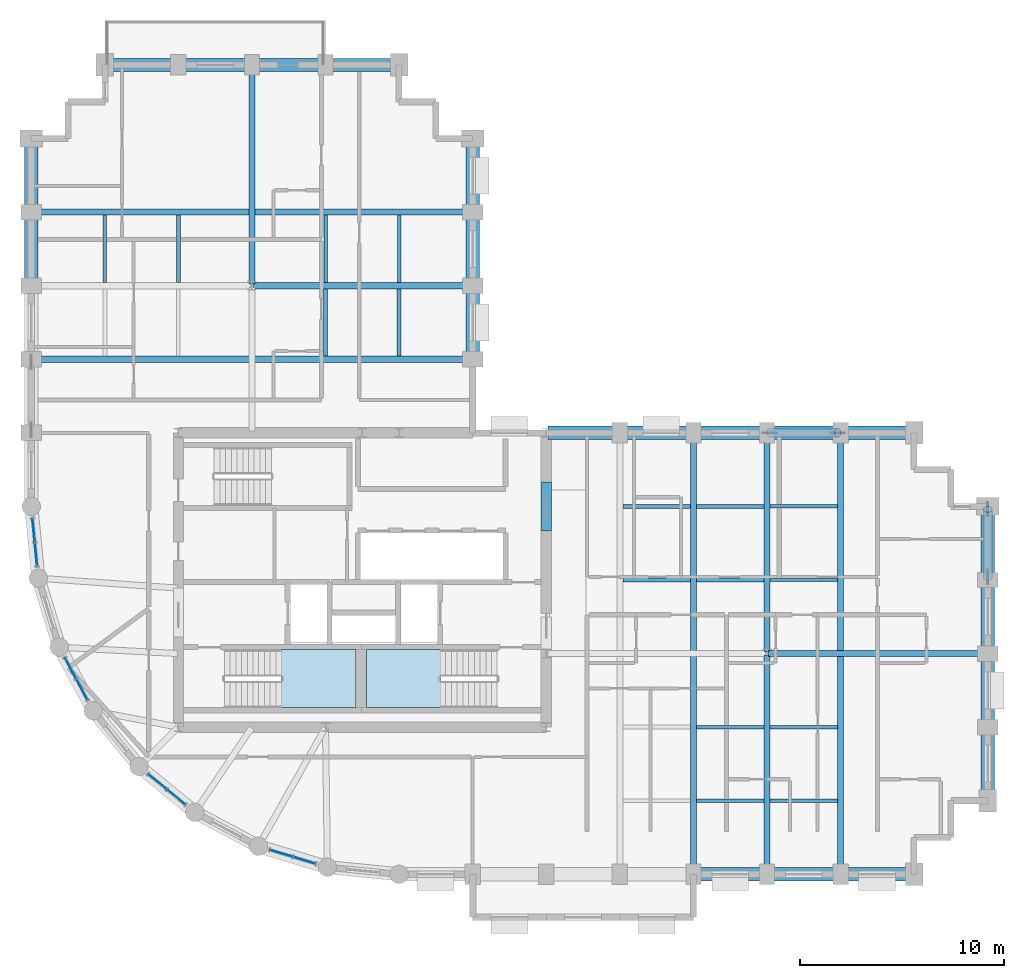
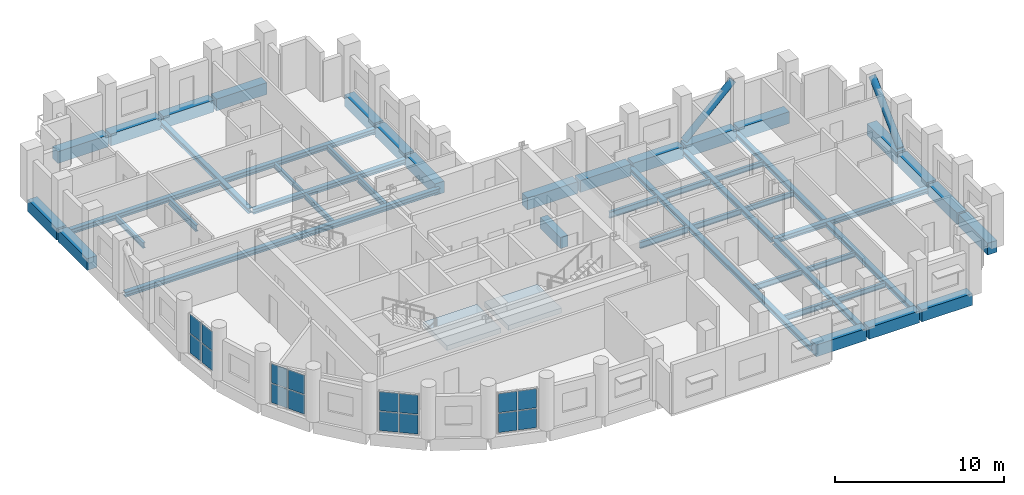
# One storey, part 5 of 14: 47 beams, 16 plates, 2 members, 2 slabs, 6 elements without a shape of their own.
"""IFC4 building model written with IfcOpenShell, lengths in metres."""

import ifcopenshell
import ifcopenshell.guid

model = None  # the IFC model being written
_history = None  # IfcOwnerHistory: only IFC2X3 demands one
_inside = {}  # id of a spatial element -> (the spatial element, [elements in it])
_under = {}  # id of a project, library or spatial element -> (it, [spatial elements below it])
_declared = {}  # id of a project -> (the project, [libraries it declares])
_typed = {}  # id of a type object -> (the type object, [elements of that type])
_made_of = {}  # id of a material, layer set ... -> (it, [elements and type objects made of it])


def new_model(schema):
    """Start an empty IFC model of exactly this schema.

    Asked for "IFC4X3", IfcOpenShell would pick the latest addendum, in which some entities
    have other attributes; the version numbers below select the first issue.
    IFC2X3 requires an IfcOwnerHistory on every rooted entity: one is made here for all.
    """
    global model, _history
    if schema == "IFC4X3":
        model = ifcopenshell.file(schema_version=(4, 3, 0, 0))
    else:
        model = ifcopenshell.file(schema=schema)
    _inside.clear()
    _under.clear()
    _declared.clear()
    _typed.clear()
    _made_of.clear()
    _history = None
    if model.schema == "IFC2X3":
        org = make("IfcOrganization", Name="unknown")
        user = make(
            "IfcPersonAndOrganization",
            ThePerson=make("IfcPerson", FamilyName="unknown"),
            TheOrganization=org,
        )
        app = make(
            "IfcApplication",
            ApplicationDeveloper=org,
            Version="unknown",
            ApplicationFullName="unknown",
            ApplicationIdentifier="unknown",
        )
        _history = make(
            "IfcOwnerHistory",
            OwningUser=user,
            OwningApplication=app,
            ChangeAction="ADDED",
            CreationDate=0,
        )
    return model


def make(cls, **values):
    """One entity of the class cls with the attributes given. An attribute that is None is left unset."""
    return model.create_entity(
        cls, **{name: value for name, value in values.items() if value is not None}
    )


def rooted(cls, **values):
    """An entity with a GlobalId (a new one), such as an element, a storey or a relation."""
    return make(cls, GlobalId=ifcopenshell.guid.new(), OwnerHistory=_history, **values)


def si_unit(unit_type, name, prefix=None):
    """IfcSIUnit, for example si_unit("LENGTHUNIT", "METRE", prefix="MILLI")."""
    return make("IfcSIUnit", UnitType=unit_type, Prefix=prefix, Name=name)


def assignment(units):
    """IfcUnitAssignment: the units of a project."""
    return None if units is None else make("IfcUnitAssignment", Units=units)


def point(xyz):
    """IfcCartesianPoint."""
    return None if xyz is None else make("IfcCartesianPoint", Coordinates=xyz)


def direction(xyz):
    """IfcDirection."""
    return None if xyz is None else make("IfcDirection", DirectionRatios=xyz)


def frame(location, z_axis=None, x_axis=None):
    """IfcAxis2Placement3D, a coordinate frame: its origin and axes. An axis left out is left unset."""
    return make(
        "IfcAxis2Placement3D",
        Location=point(location),
        Axis=direction(z_axis),
        RefDirection=direction(x_axis),
    )


def frame_2d(location, x_axis=None):
    """IfcAxis2Placement2D, a coordinate frame in the plane: its origin and x axis."""
    return make(
        "IfcAxis2Placement2D", Location=point(location), RefDirection=direction(x_axis)
    )


def origin():
    """The frame at (0, 0, 0) with its axes left unset."""
    return frame((0.0, 0.0, 0.0))


def origin_2d():
    """The frame at (0, 0) in the plane with its x axis left unset."""
    return frame_2d((0.0, 0.0))


def place(relative_to, where):
    """IfcLocalPlacement: puts the frame where relative to a parent placement (None: the world)."""
    return make(
        "IfcLocalPlacement", PlacementRelTo=relative_to, RelativePlacement=where
    )


def context(
    kind, dimensions, precision=None, world=None, true_north=None, identifier=None
):
    """IfcGeometricRepresentationContext, for example the 3D "Model" context."""
    return make(
        "IfcGeometricRepresentationContext",
        ContextIdentifier=identifier,
        ContextType=kind,
        CoordinateSpaceDimension=dimensions,
        Precision=precision,
        WorldCoordinateSystem=world,
        TrueNorth=true_north,
    )


def subcontext(parent, identifier, kind, view, scale=None):
    """IfcGeometricRepresentationSubContext, for example "Body" below "Model"."""
    return make(
        "IfcGeometricRepresentationSubContext",
        ContextIdentifier=identifier,
        ContextType=kind,
        ParentContext=parent,
        TargetScale=scale,
        TargetView=view,
    )


def project(units=None, contexts=None):
    """IfcProject with its units and contexts."""
    return rooted(
        "IfcProject",
        Name="project",
        RepresentationContexts=contexts,
        UnitsInContext=assignment(units),
    )


def spatial(cls, under=None, at=None, **own):
    """A site, building, storey or space (cls), placed at a placement, below another one or the project."""
    s = rooted(cls, ObjectPlacement=at, **own)
    if under is not None:
        _under.setdefault(under.id(), (under, []))[1].append(s)
    return s


def polyline(points):
    """IfcPolyline through the points."""
    return make("IfcPolyline", Points=[point(p) for p in points])


def profile(cls, at=None, kind="AREA", **sizes):
    """A parametric profile (cls). Its sizes go by their IFC names, for example OverallWidth=200.0."""
    return make(cls, ProfileType=kind, Position=at, **sizes)


def rectangle(**sizes):
    """IfcRectangleProfileDef."""
    return profile("IfcRectangleProfileDef", **sizes)


def hollow_circle(**sizes):
    """IfcCircleHollowProfileDef."""
    return profile("IfcCircleHollowProfileDef", **sizes)


def i_section(**sizes):
    """IfcIShapeProfileDef."""
    return profile("IfcIShapeProfileDef", **sizes)


def outline(outer, holes=None, kind="AREA"):
    """IfcArbitraryClosedProfileDef: a profile drawn as a closed curve; with holes, ...WithVoids."""
    if holes is None:
        return make("IfcArbitraryClosedProfileDef", ProfileType=kind, OuterCurve=outer)
    return make(
        "IfcArbitraryProfileDefWithVoids",
        ProfileType=kind,
        OuterCurve=outer,
        InnerCurves=holes,
    )


def extrude(swept, where, along, depth):
    """IfcExtrudedAreaSolid: the profile swept, set in the frame where, extruded along a direction by depth."""
    return make(
        "IfcExtrudedAreaSolid",
        SweptArea=swept,
        Position=where,
        ExtrudedDirection=direction(along),
        Depth=depth,
    )


def shape(context_of_items, identifier, shape_type, items):
    """IfcShapeRepresentation: the items that make up one representation, for example the "Body"."""
    return make(
        "IfcShapeRepresentation",
        ContextOfItems=context_of_items,
        RepresentationIdentifier=identifier,
        RepresentationType=shape_type,
        Items=items,
    )


def material(Name=None, Category=None):
    """IfcMaterial."""
    return make("IfcMaterial", Name=Name, Category=Category)


def layer(
    of_material, thickness, ventilated=None, Name=None, Category=None, Priority=None
):
    """IfcMaterialLayer: one layer of a wall or slab, of a material (None: an air gap)."""
    return make(
        "IfcMaterialLayer",
        Material=of_material,
        LayerThickness=thickness,
        IsVentilated=ventilated,
        Name=Name,
        Category=Category,
        Priority=Priority,
    )


def layer_set(layers, Name=None):
    """IfcMaterialLayerSet."""
    return make("IfcMaterialLayerSet", MaterialLayers=layers, LayerSetName=Name)


def material_profile(
    of_material, cross_section, Name=None, Category=None, Priority=None
):
    """IfcMaterialProfile: a cross section and its material."""
    return make(
        "IfcMaterialProfile",
        Name=Name,
        Material=of_material,
        Profile=cross_section,
        Priority=Priority,
        Category=Category,
    )


def profile_set(profiles, Name=None, composite=None):
    """IfcMaterialProfileSet."""
    return make(
        "IfcMaterialProfileSet",
        Name=Name,
        MaterialProfiles=profiles,
        CompositeProfile=composite,
    )


def made_of(thing, what):
    """Note that an element or type object is made of a material, layer set ...; save() writes the relation."""
    if what is not None:
        _made_of.setdefault(what.id(), (what, []))[1].append(thing)
    return thing


def type_object(cls, material=None, **own):
    """A type object (cls), such as IfcWallType, which elements share."""
    return made_of(rooted(cls, **own), material)


def element(
    cls,
    number,
    at=None,
    inside=None,
    cuts=None,
    type_object=None,
    material=None,
    context=None,
    identifier="Body",
    shape_type=None,
    held_by="IfcProductDefinitionShape",
    body=None,
    shapes=None,
    **own,
):
    """One element of the class cls, such as IfcWall. Its Tag is "e" and its number.

    at: its placement. inside: the storey or other place that contains it. cuts: it is an
    opening in that element (IfcRelVoidsElement). A single representation is given by context,
    identifier, shape_type and body (its items); several are given by shapes. held_by: the class
    of the entity that holds the representations. save() writes the other relations.
    """
    e = rooted(cls, Tag="e%d" % number, ObjectPlacement=at, **own)
    if body is not None:
        shapes = [shape(context, identifier, shape_type, body)]
    if shapes is not None:
        e.Representation = make(held_by, Representations=shapes)
    if inside is not None:
        _inside.setdefault(inside.id(), (inside, []))[1].append(e)
    if cuts is not None:
        rooted(
            "IfcRelVoidsElement", RelatingBuildingElement=cuts, RelatedOpeningElement=e
        )
    if type_object is not None:
        _typed.setdefault(type_object.id(), (type_object, []))[1].append(e)
    return made_of(e, material)


def aggregate(whole, parts):
    """IfcRelAggregates: a whole, such as a stair, and the parts it consists of."""
    return rooted("IfcRelAggregates", RelatingObject=whole, RelatedObjects=parts)


def save(model, path):
    """Write the relations noted so far, then the file.

    IfcRelAggregates (storeys below a building ...), IfcRelContainedInSpatialStructure (elements
    in a storey), IfcRelDefinesByType, IfcRelAssociatesMaterial and IfcRelDeclares: one each for
    every whole, place, type object, material and project.
    """
    for whole, parts in _under.values():
        aggregate(whole, parts)
    for where, things in _inside.values():
        rooted(
            "IfcRelContainedInSpatialStructure",
            RelatedElements=things,
            RelatingStructure=where,
        )
    for kind, things in _typed.values():
        rooted("IfcRelDefinesByType", RelatedObjects=things, RelatingType=kind)
    for what, things in _made_of.values():
        rooted("IfcRelAssociatesMaterial", RelatedObjects=things, RelatingMaterial=what)
    for by, libraries in _declared.values():
        rooted("IfcRelDeclares", RelatingContext=by, RelatedDefinitions=libraries)
    model.write(path)


model = new_model("IFC4")

# Units and contexts
model_context = context("Model", 3, precision=1e-05, world=origin(), true_north=direction((0.0, 1.0)))
body_context = subcontext(model_context, "Body", "Model", "MODEL_VIEW")
ifc_project = project(units=[si_unit("LENGTHUNIT", "METRE"), si_unit("AREAUNIT", "SQUARE_METRE"), si_unit("VOLUMEUNIT", "CUBIC_METRE"), si_unit("PLANEANGLEUNIT", "RADIAN"), si_unit("MASSUNIT", "GRAM", prefix="KILO")], contexts=[model_context])

# Site, building, storey
site_placement = place(None, origin())
site = spatial("IfcSite", under=ifc_project, at=site_placement, CompositionType="ELEMENT")
building_placement = place(site_placement, origin())
building = spatial("IfcBuilding", under=site, at=building_placement, Name="Solnavia Interchange Tower", CompositionType="ELEMENT")
storey_placement = place(building_placement, frame((0.0, 0.0, 135.199951171875)))
storey = spatial("IfcBuildingStorey", under=building, at=storey_placement, Name="L33", CompositionType="ELEMENT", Elevation=135.199951171875)

# Beams
ifc_material_1 = material(Name="Concrete C50/60", Category="concrete")
ifc_material_profile_1 = material_profile(ifc_material_1, rectangle(XDim=0.5, YDim=0.800048828125, at=origin_2d()), Name="RC 500x800")
ifc_profile_set_1 = profile_set([ifc_material_profile_1], Name="Concrete C50/60")
beam_type_1 = type_object("IfcBeamType", Name="Beam-Coupling-RC500x800", PredefinedType="LINTEL", material=ifc_profile_set_1)
beam_1_placement = place(storey_placement, frame((32.39990234375, 20.39990234375, -0.39990234375), z_axis=(0.0, 1.0, 0.0), x_axis=(-1.0, 0.0, 0.0)))
element("IfcBeam", 1, at=beam_1_placement, inside=storey, type_object=beam_type_1, Name="CPB-L33-E2 Core coupling lintel beam", PredefinedType="LINTEL", context=body_context, shape_type="SweptSolid", body=[
    extrude(rectangle(XDim=0.5, YDim=0.800048828125, at=origin_2d()), origin(), (0.0, 0.0, 1.0), 2.400146484375),
])
ifc_material_2 = material(Name="Steel S460", Category="steel")
ifc_material_profile_2 = material_profile(ifc_material_2, i_section(OverallWidth=0.300048828125, OverallDepth=0.360107421875, WebThickness=0.012451171875, FlangeThickness=0.0224609375, FilletRadius=0.027099609375, at=origin_2d()), Name="HEB 360")
ifc_profile_set_2 = profile_set([ifc_material_profile_2], Name="Steel S460")
beam_type_2 = type_object("IfcBeamType", Name="Beam-Girder-HEB360", PredefinedType="BEAM", material=ifc_profile_set_2)
beam_2_placement = place(storey_placement, frame((43.280029296875, 14.39990234375, -0.429931640625), z_axis=(1.0, 0.0, 0.0), x_axis=(0.0, 1.0, 0.0)))
element("IfcBeam", 2, at=beam_2_placement, inside=storey, type_object=beam_type_2, Name="GRD-L33-ES02 East wing spine girder", PredefinedType="BEAM", context=body_context, shape_type="SweptSolid", body=[
    extrude(i_section(OverallWidth=0.300048828125, OverallDepth=0.360107421875, WebThickness=0.012451171875, FlangeThickness=0.0224609375, FilletRadius=0.027099609375, at=origin_2d()), origin(), (0.0, 0.0, 1.0), 10.639892578125),
])
for number, where, z_axis, x_axis, name in (
    (3, (39.60009765625, 3.679931640625, -0.429931640625), (0.0, 1.0, 0.0), (-1.0, 0.0, 0.0), "GRD-L33-EW04 East wing primary floor girder"),
    (4, (46.800048828125, 3.679931640625, -0.429931640625), (0.0, 1.0, 0.0), (-1.0, 0.0, 0.0), "GRD-L33-EW07 East wing primary floor girder"),
):
    element("IfcBeam", number, at=place(storey_placement, frame(where, z_axis=z_axis, x_axis=x_axis)), inside=storey, type_object=beam_type_2, Name=name, PredefinedType="BEAM", context=body_context, shape_type="SweptSolid", body=[
        extrude(i_section(OverallWidth=0.300048828125, OverallDepth=0.360107421875, WebThickness=0.012451171875, FlangeThickness=0.0224609375, FilletRadius=0.027099609375, at=origin_2d()), origin(), (0.0, 0.0, 1.0), 21.440185546875),
    ])
beam_3_placement = place(storey_placement, frame((18.0, 32.47998046875, -0.429931640625), z_axis=(0.0, 1.0, 0.0), x_axis=(-1.0, 0.0, 0.0)))
element("IfcBeam", 5, at=beam_3_placement, inside=storey, type_object=beam_type_2, Name="GRD-L33-NS09 North wing spine girder", PredefinedType="BEAM", context=body_context, shape_type="SweptSolid", body=[
    extrude(i_section(OverallWidth=0.300048828125, OverallDepth=0.360107421875, WebThickness=0.012451171875, FlangeThickness=0.0224609375, FilletRadius=0.027099609375, at=origin_2d()), origin(), (0.0, 0.0, 1.0), 10.64013671875),
])
for number, where, z_axis, x_axis, name in (
    (6, (7.280029296875, 28.800048828125, -0.429931640625), (1.0, 0.0, 0.0), (0.0, 1.0, 0.0), "GRD-L33-NW10 North wing primary floor girder"),
    (7, (7.280029296875, 36.0, -0.429931640625), (1.0, 0.0, 0.0), (0.0, 1.0, 0.0), "GRD-L33-NW13 North wing primary floor girder"),
):
    element("IfcBeam", number, at=place(storey_placement, frame(where, z_axis=z_axis, x_axis=x_axis)), inside=storey, type_object=beam_type_2, Name=name, PredefinedType="BEAM", context=body_context, shape_type="SweptSolid", body=[
        extrude(i_section(OverallWidth=0.300048828125, OverallDepth=0.360107421875, WebThickness=0.012451171875, FlangeThickness=0.0224609375, FilletRadius=0.027099609375, at=origin_2d()), origin(), (0.0, 0.0, 1.0), 21.43994140625),
    ])
ifc_material_3 = material(Name="Steel S355", Category="steel")
ifc_material_profile_3 = material_profile(ifc_material_3, i_section(OverallWidth=0.169921875, OverallDepth=0.360107421875, WebThickness=0.008056640625, FlangeThickness=0.0126953125, FilletRadius=0.01806640625, at=origin_2d()), Name="IPE 360")
ifc_profile_set_3 = profile_set([ifc_material_profile_3], Name="Steel S355")
beam_type_3 = type_object("IfcBeamType", Name="Beam-Joist-IPE360", PredefinedType="JOIST", material=ifc_profile_set_3)
for number, where, z_axis, x_axis, name in (
    (8, (43.35009765625, 7.199951171875, -0.429931640625), (1.0, 0.0, 0.0), (0.0, 1.0, 0.0), "JST-L33-E03 East wing secondary joist"),
    (9, (43.35009765625, 10.800048828125, -0.429931640625), (1.0, 0.0, 0.0), (0.0, 1.0, 0.0), "JST-L33-E06 East wing secondary joist"),
    (10, (43.35009765625, 18.0, -0.429931640625), (1.0, 0.0, 0.0), (0.0, 1.0, 0.0), "JST-L33-E09 East wing secondary joist"),
    (11, (43.35009765625, 21.60009765625, -0.429931640625), (1.0, 0.0, 0.0), (0.0, 1.0, 0.0), "JST-L33-E12 East wing secondary joist"),
):
    element("IfcBeam", number, at=place(storey_placement, frame(where, z_axis=z_axis, x_axis=x_axis)), inside=storey, type_object=beam_type_3, Name=name, PredefinedType="JOIST", context=body_context, shape_type="SweptSolid", body=[
        extrude(i_section(OverallWidth=0.169921875, OverallDepth=0.360107421875, WebThickness=0.008056640625, FlangeThickness=0.0126953125, FilletRadius=0.01806640625, at=origin_2d()), origin(), (0.0, 0.0, 1.0), 3.2998046875),
    ])
beam_4_placement = place(storey_placement, frame((21.60009765625, 32.550048828125, -0.429931640625), z_axis=(0.0, 1.0, 0.0), x_axis=(-1.0, 0.0, 0.0)))
element("IfcBeam", 12, at=beam_4_placement, inside=storey, type_object=beam_type_3, Name="JST-L33-N18 North wing secondary joist", PredefinedType="JOIST", context=body_context, shape_type="SweptSolid", body=[
    extrude(i_section(OverallWidth=0.169921875, OverallDepth=0.360107421875, WebThickness=0.008056640625, FlangeThickness=0.0126953125, FilletRadius=0.01806640625, at=origin_2d()), origin(), (0.0, 0.0, 1.0), 3.300048828125),
])
ifc_material_profile_4 = material_profile(ifc_material_3, i_section(OverallWidth=0.179931640625, OverallDepth=0.39990234375, WebThickness=0.008544921875, FlangeThickness=0.013427734375, FilletRadius=0.02099609375, at=origin_2d()), Name="IPE 400")
ifc_profile_set_4 = profile_set([ifc_material_profile_4], Name="Steel S355")
beam_type_4 = type_object("IfcBeamType", Name="Beam-Joist-IPE400", PredefinedType="JOIST", material=ifc_profile_set_4)
for number, where, z_axis, x_axis, name in (
    (13, (39.75, 7.199951171875, -0.449951171875), (1.0, 0.0, 0.0), (0.0, 1.0, 0.0), "JST-L33-E02 East wing secondary joist"),
    (14, (39.75, 10.800048828125, -0.449951171875), (1.0, 0.0, 0.0), (0.0, 1.0, 0.0), "JST-L33-E05 East wing secondary joist"),
    (15, (39.75, 18.0, -0.449951171875), (1.0, 0.0, 0.0), (0.0, 1.0, 0.0), "JST-L33-E08 East wing secondary joist"),
    (16, (39.75, 21.60009765625, -0.449951171875), (1.0, 0.0, 0.0), (0.0, 1.0, 0.0), "JST-L33-E11 East wing secondary joist"),
    (17, (10.800048828125, 32.550048828125, -0.449951171875), (0.0, 1.0, 0.0), (-1.0, 0.0, 0.0), "JST-L33-N14 North wing secondary joist"),
    (18, (21.60009765625, 28.949951171875, -0.449951171875), (0.0, 1.0, 0.0), (-1.0, 0.0, 0.0), "JST-L33-N17 North wing secondary joist"),
    (19, (25.199951171875, 32.550048828125, -0.449951171875), (0.0, 1.0, 0.0), (-1.0, 0.0, 0.0), "JST-L33-N20 North wing secondary joist"),
):
    element("IfcBeam", number, at=place(storey_placement, frame(where, z_axis=z_axis, x_axis=x_axis)), inside=storey, type_object=beam_type_4, Name=name, PredefinedType="JOIST", context=body_context, shape_type="SweptSolid", body=[
        extrude(i_section(OverallWidth=0.179931640625, OverallDepth=0.39990234375, WebThickness=0.008544921875, FlangeThickness=0.013427734375, FilletRadius=0.02099609375, at=origin_2d()), origin(), (0.0, 0.0, 1.0), 3.300048828125),
    ])
ifc_material_profile_5 = material_profile(ifc_material_3, i_section(OverallWidth=0.18994140625, OverallDepth=0.449951171875, WebThickness=0.009521484375, FlangeThickness=0.0146484375, FilletRadius=0.02099609375, at=origin_2d()), Name="IPE 450")
ifc_profile_set_5 = profile_set([ifc_material_profile_5], Name="Steel S355")
beam_type_5 = type_object("IfcBeamType", Name="Beam-Joist-IPE450", PredefinedType="JOIST", material=ifc_profile_set_5)
for number, where, z_axis, x_axis, name in (
    (20, (36.14990234375, 18.0, -0.474853515625), (1.0, 0.0, 0.0), (0.0, 1.0, 0.0), "JST-L33-E07 East wing secondary joist"),
    (21, (36.14990234375, 21.60009765625, -0.474853515625), (1.0, 0.0, 0.0), (0.0, 1.0, 0.0), "JST-L33-E10 East wing secondary joist"),
    (22, (14.39990234375, 32.550048828125, -0.474853515625), (0.0, 1.0, 0.0), (-1.0, 0.0, 0.0), "JST-L33-N16 North wing secondary joist"),
    (23, (25.199951171875, 28.949951171875, -0.474853515625), (0.0, 1.0, 0.0), (-1.0, 0.0, 0.0), "JST-L33-N19 North wing secondary joist"),
):
    element("IfcBeam", number, at=place(storey_placement, frame(where, z_axis=z_axis, x_axis=x_axis)), inside=storey, type_object=beam_type_5, Name=name, PredefinedType="JOIST", context=body_context, shape_type="SweptSolid", body=[
        extrude(i_section(OverallWidth=0.18994140625, OverallDepth=0.449951171875, WebThickness=0.009521484375, FlangeThickness=0.0146484375, FilletRadius=0.02099609375, at=origin_2d()), origin(), (0.0, 0.0, 1.0), 3.300048828125),
    ])
ifc_material_profile_6 = material_profile(ifc_material_3, i_section(OverallWidth=0.300048828125, OverallDepth=0.35009765625, WebThickness=0.010009765625, FlangeThickness=0.017578125, FilletRadius=0.027099609375, at=origin_2d()), Name="HEA 360")
ifc_profile_set_6 = profile_set([ifc_material_profile_6], Name="Steel S355")
beam_type_6 = type_object("IfcBeamType", Name="Beam-Primary-HEA360", PredefinedType="BEAM", material=ifc_profile_set_6)
for number, where, z_axis, x_axis, name in (
    (24, (43.199951171875, 3.679931640625, -0.425048828125), (0.0, 1.0, 0.0), (-1.0, 0.0, 0.0), "GRD-L33-EW05 East wing primary floor girder"),
    (25, (43.199951171875, 14.47998046875, -0.425048828125), (0.0, 1.0, 0.0), (-1.0, 0.0, 0.0), "GRD-L33-EW06 East wing primary floor girder"),
):
    element("IfcBeam", number, at=place(storey_placement, frame(where, z_axis=z_axis, x_axis=x_axis)), inside=storey, type_object=beam_type_6, Name=name, PredefinedType="BEAM", context=body_context, shape_type="SweptSolid", body=[
        extrude(i_section(OverallWidth=0.300048828125, OverallDepth=0.35009765625, WebThickness=0.010009765625, FlangeThickness=0.017578125, FilletRadius=0.027099609375, at=origin_2d()), origin(), (0.0, 0.0, 1.0), 10.64013671875),
    ])
beam_5_placement = place(storey_placement, frame((18.080078125, 32.39990234375, -0.425048828125), z_axis=(1.0, 0.0, 0.0), x_axis=(0.0, 1.0, 0.0)))
element("IfcBeam", 26, at=beam_5_placement, inside=storey, type_object=beam_type_6, Name="GRD-L33-NW12 North wing primary floor girder", PredefinedType="BEAM", context=body_context, shape_type="SweptSolid", body=[
    extrude(i_section(OverallWidth=0.300048828125, OverallDepth=0.35009765625, WebThickness=0.010009765625, FlangeThickness=0.017578125, FilletRadius=0.027099609375, at=origin_2d()), origin(), (0.0, 0.0, 1.0), 10.639892578125),
])
ifc_material_profile_7 = material_profile(ifc_material_1, rectangle(XDim=0.64990234375, YDim=0.85009765625, at=origin_2d()), Name="RC 650x850")
ifc_profile_set_7 = profile_set([ifc_material_profile_7], Name="Concrete C50/60")
beam_type_7 = type_object("IfcBeamType", Name="Beam-Spandrel-RC650x850", PredefinedType="SPANDREL", material=ifc_profile_set_7)
beam_6_placement = place(storey_placement, frame((39.679931640625, 3.60009765625, -0.425048828125), z_axis=(1.0, 0.0, 0.0), x_axis=(0.0, 1.0, 0.0)))
element("IfcBeam", 27, at=beam_6_placement, inside=storey, type_object=beam_type_7, Name="SPB-L33-13 Framed-tube perimeter spandrel beam", PredefinedType="SPANDREL", context=body_context, shape_type="SweptSolid", body=[
    extrude(rectangle(XDim=0.64990234375, YDim=0.85009765625, at=origin_2d()), origin(), (0.0, 0.0, 1.0), 3.440185546875),
])
beam_7_placement = place(storey_placement, frame((43.280029296875, 3.60009765625, -0.425048828125), z_axis=(1.0, 0.0, 0.0), x_axis=(0.0, 1.0, 0.0)))
element("IfcBeam", 28, at=beam_7_placement, inside=storey, type_object=beam_type_7, Name="SPB-L33-14 Framed-tube perimeter spandrel beam", PredefinedType="SPANDREL", context=body_context, shape_type="SweptSolid", body=[
    extrude(rectangle(XDim=0.64990234375, YDim=0.85009765625, at=origin_2d()), origin(), (0.0, 0.0, 1.0), 3.43994140625),
])
beam_8_placement = place(storey_placement, frame((46.8798828125, 3.60009765625, -0.425048828125), z_axis=(1.0, 0.0, 0.0), x_axis=(0.0, 1.0, 0.0)))
element("IfcBeam", 29, at=beam_8_placement, inside=storey, type_object=beam_type_7, Name="SPB-L33-15 Framed-tube perimeter spandrel beam", PredefinedType="SPANDREL", context=body_context, shape_type="SweptSolid", body=[
    extrude(rectangle(XDim=0.64990234375, YDim=0.85009765625, at=origin_2d()), origin(), (0.0, 0.0, 1.0), 3.440185546875),
])
beam_9_placement = place(storey_placement, frame((54.0, 7.280029296875, -0.425048828125), z_axis=(0.0, 1.0, 0.0), x_axis=(-1.0, 0.0, 0.0)))
element("IfcBeam", 30, at=beam_9_placement, inside=storey, type_object=beam_type_7, Name="SPB-L33-16 Framed-tube perimeter spandrel beam", PredefinedType="SPANDREL", context=body_context, shape_type="SweptSolid", body=[
    extrude(rectangle(XDim=0.64990234375, YDim=0.85009765625, at=origin_2d()), origin(), (0.0, 0.0, 1.0), 3.43994140625),
])
beam_10_placement = place(storey_placement, frame((54.0, 10.8798828125, -0.425048828125), z_axis=(0.0, 1.0, 0.0), x_axis=(-1.0, 0.0, 0.0)))
element("IfcBeam", 31, at=beam_10_placement, inside=storey, type_object=beam_type_7, Name="SPB-L33-17 Framed-tube perimeter spandrel beam", PredefinedType="SPANDREL", context=body_context, shape_type="SweptSolid", body=[
    extrude(rectangle(XDim=0.64990234375, YDim=0.85009765625, at=origin_2d()), origin(), (0.0, 0.0, 1.0), 3.440185546875),
])
for number, where, z_axis, x_axis, name in (
    (32, (54.0, 14.47998046875, -0.425048828125), (0.0, 1.0, 0.0), (-1.0, 0.0, 0.0), "SPB-L33-18 Framed-tube perimeter spandrel beam"),
    (33, (54.0, 18.080078125, -0.425048828125), (0.0, 1.0, 0.0), (-1.0, 0.0, 0.0), "SPB-L33-19 Framed-tube perimeter spandrel beam"),
):
    element("IfcBeam", number, at=place(storey_placement, frame(where, z_axis=z_axis, x_axis=x_axis)), inside=storey, type_object=beam_type_7, Name=name, PredefinedType="SPANDREL", context=body_context, shape_type="SweptSolid", body=[
        extrude(rectangle(XDim=0.64990234375, YDim=0.85009765625, at=origin_2d()), origin(), (0.0, 0.0, 1.0), 3.43994140625),
    ])
beam_11_placement = place(storey_placement, frame((50.320068359375, 25.199951171875, -0.425048828125), z_axis=(-1.0, 0.0, 0.0), x_axis=(0.0, -1.0, 0.0)))
element("IfcBeam", 34, at=beam_11_placement, inside=storey, type_object=beam_type_7, Name="SPB-L33-20 Framed-tube perimeter spandrel beam", PredefinedType="SPANDREL", context=body_context, shape_type="SweptSolid", body=[
    extrude(rectangle(XDim=0.64990234375, YDim=0.85009765625, at=origin_2d()), origin(), (0.0, 0.0, 1.0), 3.440185546875),
])
beam_12_placement = place(storey_placement, frame((46.719970703125, 25.199951171875, -0.425048828125), z_axis=(-1.0, 0.0, 0.0), x_axis=(0.0, -1.0, 0.0)))
element("IfcBeam", 35, at=beam_12_placement, inside=storey, type_object=beam_type_7, Name="SPB-L33-21 Framed-tube perimeter spandrel beam", PredefinedType="SPANDREL", context=body_context, shape_type="SweptSolid", body=[
    extrude(rectangle(XDim=0.64990234375, YDim=0.85009765625, at=origin_2d()), origin(), (0.0, 0.0, 1.0), 3.43994140625),
])
beam_13_placement = place(storey_placement, frame((43.1201171875, 25.199951171875, -0.425048828125), z_axis=(-1.0, 0.0, 0.0), x_axis=(0.0, -1.0, 0.0)))
element("IfcBeam", 36, at=beam_13_placement, inside=storey, type_object=beam_type_7, Name="SPB-L33-22 Framed-tube perimeter spandrel beam", PredefinedType="SPANDREL", context=body_context, shape_type="SweptSolid", body=[
    extrude(rectangle(XDim=0.64990234375, YDim=0.85009765625, at=origin_2d()), origin(), (0.0, 0.0, 1.0), 3.440185546875),
])
for number, where, z_axis, x_axis, name in (
    (37, (39.52001953125, 25.199951171875, -0.425048828125), (-1.0, 0.0, 0.0), (0.0, -1.0, 0.0), "SPB-L33-23 Framed-tube perimeter spandrel beam"),
    (38, (35.919921875, 25.199951171875, -0.425048828125), (-1.0, 0.0, 0.0), (0.0, -1.0, 0.0), "SPB-L33-24 Framed-tube perimeter spandrel beam"),
):
    element("IfcBeam", number, at=place(storey_placement, frame(where, z_axis=z_axis, x_axis=x_axis)), inside=storey, type_object=beam_type_7, Name=name, PredefinedType="SPANDREL", context=body_context, shape_type="SweptSolid", body=[
        extrude(rectangle(XDim=0.64990234375, YDim=0.85009765625, at=origin_2d()), origin(), (0.0, 0.0, 1.0), 3.43994140625),
    ])
beam_14_placement = place(storey_placement, frame((28.800048828125, 28.8798828125, -0.425048828125), z_axis=(0.0, 1.0, 0.0), x_axis=(-1.0, 0.0, 0.0)))
element("IfcBeam", 39, at=beam_14_placement, inside=storey, type_object=beam_type_7, Name="SPB-L33-25 Framed-tube perimeter spandrel beam", PredefinedType="SPANDREL", context=body_context, shape_type="SweptSolid", body=[
    extrude(rectangle(XDim=0.64990234375, YDim=0.85009765625, at=origin_2d()), origin(), (0.0, 0.0, 1.0), 3.440185546875),
])
for number, where, z_axis, x_axis, name in (
    (40, (28.800048828125, 32.47998046875, -0.425048828125), (0.0, 1.0, 0.0), (-1.0, 0.0, 0.0), "SPB-L33-26 Framed-tube perimeter spandrel beam"),
    (41, (28.800048828125, 36.080078125, -0.425048828125), (0.0, 1.0, 0.0), (-1.0, 0.0, 0.0), "SPB-L33-27 Framed-tube perimeter spandrel beam"),
):
    element("IfcBeam", number, at=place(storey_placement, frame(where, z_axis=z_axis, x_axis=x_axis)), inside=storey, type_object=beam_type_7, Name=name, PredefinedType="SPANDREL", context=body_context, shape_type="SweptSolid", body=[
        extrude(rectangle(XDim=0.64990234375, YDim=0.85009765625, at=origin_2d()), origin(), (0.0, 0.0, 1.0), 3.43994140625),
    ])
beam_15_placement = place(storey_placement, frame((25.1201171875, 43.199951171875, -0.425048828125), z_axis=(-1.0, 0.0, 0.0), x_axis=(0.0, -1.0, 0.0)))
element("IfcBeam", 42, at=beam_15_placement, inside=storey, type_object=beam_type_7, Name="SPB-L33-28 Framed-tube perimeter spandrel beam", PredefinedType="SPANDREL", context=body_context, shape_type="SweptSolid", body=[
    extrude(rectangle(XDim=0.64990234375, YDim=0.85009765625, at=origin_2d()), origin(), (0.0, 0.0, 1.0), 3.440185546875),
])
for number, where, z_axis, x_axis, name in (
    (43, (21.52001953125, 43.199951171875, -0.425048828125), (-1.0, 0.0, 0.0), (0.0, -1.0, 0.0), "SPB-L33-29 Framed-tube perimeter spandrel beam"),
    (44, (17.919921875, 43.199951171875, -0.425048828125), (-1.0, 0.0, 0.0), (0.0, -1.0, 0.0), "SPB-L33-30 Framed-tube perimeter spandrel beam"),
):
    element("IfcBeam", number, at=place(storey_placement, frame(where, z_axis=z_axis, x_axis=x_axis)), inside=storey, type_object=beam_type_7, Name=name, PredefinedType="SPANDREL", context=body_context, shape_type="SweptSolid", body=[
        extrude(rectangle(XDim=0.64990234375, YDim=0.85009765625, at=origin_2d()), origin(), (0.0, 0.0, 1.0), 3.43994140625),
    ])
beam_16_placement = place(storey_placement, frame((14.320068359375, 43.199951171875, -0.425048828125), z_axis=(-1.0, 0.0, 0.0), x_axis=(0.0, -1.0, 0.0)))
element("IfcBeam", 45, at=beam_16_placement, inside=storey, type_object=beam_type_7, Name="SPB-L33-31 Framed-tube perimeter spandrel beam", PredefinedType="SPANDREL", context=body_context, shape_type="SweptSolid", body=[
    extrude(rectangle(XDim=0.64990234375, YDim=0.85009765625, at=origin_2d()), origin(), (0.0, 0.0, 1.0), 3.440185546875),
])
for number, where, z_axis, x_axis, name in (
    (46, (7.199951171875, 39.52001953125, -0.425048828125), (0.0, -1.0, 0.0), (1.0, 0.0, 0.0), "SPB-L33-32 Framed-tube perimeter spandrel beam"),
    (47, (7.199951171875, 35.919921875, -0.425048828125), (0.0, -1.0, 0.0), (1.0, 0.0, 0.0), "SPB-L33-33 Framed-tube perimeter spandrel beam"),
):
    element("IfcBeam", number, at=place(storey_placement, frame(where, z_axis=z_axis, x_axis=x_axis)), inside=storey, type_object=beam_type_7, Name=name, PredefinedType="SPANDREL", context=body_context, shape_type="SweptSolid", body=[
        extrude(rectangle(XDim=0.64990234375, YDim=0.85009765625, at=origin_2d()), origin(), (0.0, 0.0, 1.0), 3.43994140625),
    ])

# Members
ifc_material_profile_8 = material_profile(ifc_material_2, hollow_circle(Radius=0.228515625, WallThickness=0.02001953125, at=origin_2d()), Name="CHS 457x20")
ifc_profile_set_8 = profile_set([ifc_material_profile_8], Name="Steel S460")
member_type = type_object("IfcMemberType", Name="Brace-Perim-CHS457", PredefinedType="BRACE", material=ifc_profile_set_8)
for number, where, z_axis, x_axis, name in (
    (48, (54.0, 18.139892578125, 0.179931640625), (0.0, 0.721070427335, 0.692861774688), (-1.0, 0.0, 0.0), "BRC-L33-02 Perimeter tube diagonal brace"),
    (49, (43.340087890625, 25.199951171875, 0.179931640625), (0.721044971413, 0.0, 0.692888266028), (0.0, 1.0, 0.0), "BRC-L33-03 Perimeter tube diagonal brace"),
):
    element("IfcMember", number, at=place(storey_placement, frame(where, z_axis=z_axis, x_axis=x_axis)), inside=storey, type_object=member_type, Name=name, PredefinedType="BRACE", context=body_context, shape_type="SweptSolid", body=[
        extrude(hollow_circle(Radius=0.228515625, WallThickness=0.02001953125, at=origin_2d()), origin(), (0.0, 0.0, 1.0), 4.604248046875),
    ])

# Curtain wall, plates
ifc_material_4 = material(Name="Aluminium Alloy 6063-T6", Category="aluminium")
ifc_layer_1 = layer(ifc_material_4, 0.239990234375)
ifc_layer_set_1 = layer_set([ifc_layer_1], Name="Aluminium Alloy 6063-T6")
curtain_wall_type = type_object("IfcCurtainWallType", Name="CurtainWall-Drum-CTW2", PredefinedType="NOTDEFINED", material=ifc_layer_set_1)
curtain_wall_1_placement = place(storey_placement, origin())
curtain_wall_1 = element("IfcCurtainWall", 50, at=curtain_wall_1_placement, inside=storey, type_object=curtain_wall_type, Name="CTW-L33-D49 CTW-2 curtain wall", PredefinedType="NOTDEFINED")
ifc_material_5 = material(Name="Double-Glazed Low-E IGU Glass", Category="glass")
ifc_layer_2 = layer(ifc_material_5, 0.031982421875)
ifc_layer_set_2 = layer_set([ifc_layer_2], Name="Double-Glazed Low-E IGU Glass")
plate_type = type_object("IfcPlateType", Name="CW-Panel-Solar-32", PredefinedType="CURTAIN_PANEL", material=ifc_layer_set_2)
plate_1_placement = place(storey_placement, frame((7.314697265625, 20.435791015625, 0.06494140625), z_axis=(0.0, 0.0, 1.0), x_axis=(0.098043088306, -0.995182170678, 0.0)))
plate_1 = element("IfcPlate", 51, at=plate_1_placement, type_object=plate_type, Name="CTW-2 panel 1.1", PredefinedType="CURTAIN_PANEL", context=body_context, shape_type="SweptSolid", body=[
    extrude(rectangle(XDim=1.114501953125, YDim=0.031982421875, at=origin_2d()), origin(), (0.0, 0.0, 1.0), 1.367431640625),
])
plate_2_placement = place(storey_placement, frame((7.314697265625, 20.435791015625, 1.49755859375), z_axis=(0.0, 0.0, 1.0), x_axis=(0.098043088306, -0.995182170678, 0.0)))
plate_2 = element("IfcPlate", 52, at=plate_2_placement, type_object=plate_type, Name="CTW-2 panel 1.2", PredefinedType="CURTAIN_PANEL", context=body_context, shape_type="SweptSolid", body=[
    extrude(rectangle(XDim=1.114501953125, YDim=0.031982421875, at=origin_2d()), origin(), (0.0, 0.0, 1.0), 1.367431640625),
])
plate_3_placement = place(storey_placement, frame((7.431396484375, 19.252197265625, 0.06494140625), z_axis=(0.0, 0.0, 1.0), x_axis=(0.098043088306, -0.995182170678, 0.0)))
plate_3 = element("IfcPlate", 53, at=plate_3_placement, type_object=plate_type, Name="CTW-2 panel 2.1", PredefinedType="CURTAIN_PANEL", context=body_context, shape_type="SweptSolid", body=[
    extrude(rectangle(XDim=1.114501953125, YDim=0.031982421875, at=origin_2d()), origin(), (0.0, 0.0, 1.0), 1.367431640625),
])
plate_4_placement = place(storey_placement, frame((7.431396484375, 19.252197265625, 1.49755859375), z_axis=(0.0, 0.0, 1.0), x_axis=(0.098043088306, -0.995182170678, 0.0)))
plate_4 = element("IfcPlate", 54, at=plate_4_placement, type_object=plate_type, Name="CTW-2 panel 2.2", PredefinedType="CURTAIN_PANEL", context=body_context, shape_type="SweptSolid", body=[
    extrude(rectangle(XDim=1.114501953125, YDim=0.031982421875, at=origin_2d()), origin(), (0.0, 0.0, 1.0), 1.367431640625),
])
aggregate(curtain_wall_1, [plate_1, plate_2, plate_3, plate_4])

curtain_wall_2_placement = place(storey_placement, origin())
curtain_wall_2 = element("IfcCurtainWall", 55, at=curtain_wall_2_placement, inside=storey, type_object=curtain_wall_type, Name="CTW-L33-D51 CTW-2 curtain wall", PredefinedType="NOTDEFINED")
plate_5_placement = place(storey_placement, frame((9.12158203125, 13.680419921875, 0.06494140625), z_axis=(0.0, 0.0, 1.0), x_axis=(0.471560876964, -0.881833509976, 0.0)))
plate_5 = element("IfcPlate", 56, at=plate_5_placement, type_object=plate_type, Name="CTW-2 panel 1.1", PredefinedType="CURTAIN_PANEL", context=body_context, shape_type="SweptSolid", body=[
    extrude(rectangle(XDim=1.114501953125, YDim=0.031982421875, at=origin_2d()), origin(), (0.0, 0.0, 1.0), 1.367431640625),
])
plate_6_placement = place(storey_placement, frame((9.12158203125, 13.680419921875, 1.49755859375), z_axis=(0.0, 0.0, 1.0), x_axis=(0.471560876964, -0.881833509976, 0.0)))
plate_6 = element("IfcPlate", 57, at=plate_6_placement, type_object=plate_type, Name="CTW-2 panel 1.2", PredefinedType="CURTAIN_PANEL", context=body_context, shape_type="SweptSolid", body=[
    extrude(rectangle(XDim=1.114501953125, YDim=0.031982421875, at=origin_2d()), origin(), (0.0, 0.0, 1.0), 1.367431640625),
])
plate_7_placement = place(storey_placement, frame((9.682373046875, 12.631591796875, 0.06494140625), z_axis=(0.0, 0.0, 1.0), x_axis=(0.471560876964, -0.881833509976, 0.0)))
plate_7 = element("IfcPlate", 58, at=plate_7_placement, type_object=plate_type, Name="CTW-2 panel 2.1", PredefinedType="CURTAIN_PANEL", context=body_context, shape_type="SweptSolid", body=[
    extrude(rectangle(XDim=1.114501953125, YDim=0.031982421875, at=origin_2d()), origin(), (0.0, 0.0, 1.0), 1.367431640625),
])
plate_8_placement = place(storey_placement, frame((9.682373046875, 12.631591796875, 1.49755859375), z_axis=(0.0, 0.0, 1.0), x_axis=(0.471560876964, -0.881833509976, 0.0)))
plate_8 = element("IfcPlate", 59, at=plate_8_placement, type_object=plate_type, Name="CTW-2 panel 2.2", PredefinedType="CURTAIN_PANEL", context=body_context, shape_type="SweptSolid", body=[
    extrude(rectangle(XDim=1.114501953125, YDim=0.031982421875, at=origin_2d()), origin(), (0.0, 0.0, 1.0), 1.367431640625),
])
aggregate(curtain_wall_2, [plate_5, plate_6, plate_7, plate_8])

curtain_wall_3_placement = place(storey_placement, origin())
curtain_wall_3 = element("IfcCurtainWall", 60, at=curtain_wall_3_placement, inside=storey, type_object=curtain_wall_type, Name="CTW-L33-D53 CTW-2 curtain wall", PredefinedType="NOTDEFINED")
plate_9_placement = place(storey_placement, frame((13.376220703125, 8.130126953125, 0.06494140625), z_axis=(0.0, 0.0, 1.0), x_axis=(0.773103093557, -0.634280384951, 0.0)))
plate_9 = element("IfcPlate", 61, at=plate_9_placement, type_object=plate_type, Name="CTW-2 panel 1.1", PredefinedType="CURTAIN_PANEL", context=body_context, shape_type="SweptSolid", body=[
    extrude(rectangle(XDim=1.1142578125, YDim=0.031982421875, at=origin_2d()), origin(), (0.0, 0.0, 1.0), 1.367431640625),
])
plate_10_placement = place(storey_placement, frame((13.376220703125, 8.130126953125, 1.49755859375), z_axis=(0.0, 0.0, 1.0), x_axis=(0.773103093557, -0.634280384951, 0.0)))
plate_10 = element("IfcPlate", 62, at=plate_10_placement, type_object=plate_type, Name="CTW-2 panel 1.2", PredefinedType="CURTAIN_PANEL", context=body_context, shape_type="SweptSolid", body=[
    extrude(rectangle(XDim=1.1142578125, YDim=0.031982421875, at=origin_2d()), origin(), (0.0, 0.0, 1.0), 1.367431640625),
])
plate_11_placement = place(storey_placement, frame((14.295654296875, 7.375732421875, 0.06494140625), z_axis=(0.0, 0.0, 1.0), x_axis=(0.773103093557, -0.634280384951, 0.0)))
plate_11 = element("IfcPlate", 63, at=plate_11_placement, type_object=plate_type, Name="CTW-2 panel 2.1", PredefinedType="CURTAIN_PANEL", context=body_context, shape_type="SweptSolid", body=[
    extrude(rectangle(XDim=1.1142578125, YDim=0.031982421875, at=origin_2d()), origin(), (0.0, 0.0, 1.0), 1.367431640625),
])
plate_12_placement = place(storey_placement, frame((14.295654296875, 7.375732421875, 1.49755859375), z_axis=(0.0, 0.0, 1.0), x_axis=(0.773103093557, -0.634280384951, 0.0)))
plate_12 = element("IfcPlate", 64, at=plate_12_placement, type_object=plate_type, Name="CTW-2 panel 2.2", PredefinedType="CURTAIN_PANEL", context=body_context, shape_type="SweptSolid", body=[
    extrude(rectangle(XDim=1.1142578125, YDim=0.031982421875, at=origin_2d()), origin(), (0.0, 0.0, 1.0), 1.367431640625),
])
aggregate(curtain_wall_3, [plate_9, plate_10, plate_11, plate_12])

curtain_wall_4_placement = place(storey_placement, origin())
curtain_wall_4 = element("IfcCurtainWall", 65, at=curtain_wall_4_placement, inside=storey, type_object=curtain_wall_type, Name="CTW-L33-D55 CTW-2 curtain wall", PredefinedType="NOTDEFINED")
plate_13_placement = place(storey_placement, frame((19.43115234375, 4.630615234375, 0.06494140625), z_axis=(0.0, 0.0, 1.0), x_axis=(0.956942072515, -0.290278951786, 0.0)))
plate_13 = element("IfcPlate", 66, at=plate_13_placement, type_object=plate_type, Name="CTW-2 panel 1.1", PredefinedType="CURTAIN_PANEL", context=body_context, shape_type="SweptSolid", body=[
    extrude(rectangle(XDim=1.114013671875, YDim=0.031982421875, at=origin_2d()), origin(), (0.0, 0.0, 1.0), 1.367431640625),
])
plate_14_placement = place(storey_placement, frame((19.43115234375, 4.630615234375, 1.49755859375), z_axis=(0.0, 0.0, 1.0), x_axis=(0.956942072515, -0.290278951786, 0.0)))
plate_14 = element("IfcPlate", 67, at=plate_14_placement, type_object=plate_type, Name="CTW-2 panel 1.2", PredefinedType="CURTAIN_PANEL", context=body_context, shape_type="SweptSolid", body=[
    extrude(rectangle(XDim=1.114013671875, YDim=0.031982421875, at=origin_2d()), origin(), (0.0, 0.0, 1.0), 1.367431640625),
])
plate_15_placement = place(storey_placement, frame((20.56884765625, 4.285400390625, 0.06494140625), z_axis=(0.0, 0.0, 1.0), x_axis=(0.956942072515, -0.290278951786, 0.0)))
plate_15 = element("IfcPlate", 68, at=plate_15_placement, type_object=plate_type, Name="CTW-2 panel 2.1", PredefinedType="CURTAIN_PANEL", context=body_context, shape_type="SweptSolid", body=[
    extrude(rectangle(XDim=1.114013671875, YDim=0.031982421875, at=origin_2d()), origin(), (0.0, 0.0, 1.0), 1.367431640625),
])
plate_16_placement = place(storey_placement, frame((20.56884765625, 4.285400390625, 1.49755859375), z_axis=(0.0, 0.0, 1.0), x_axis=(0.956942072515, -0.290278951786, 0.0)))
plate_16 = element("IfcPlate", 69, at=plate_16_placement, type_object=plate_type, Name="CTW-2 panel 2.2", PredefinedType="CURTAIN_PANEL", context=body_context, shape_type="SweptSolid", body=[
    extrude(rectangle(XDim=1.114013671875, YDim=0.031982421875, at=origin_2d()), origin(), (0.0, 0.0, 1.0), 1.367431640625),
])
aggregate(curtain_wall_4, [plate_13, plate_14, plate_15, plate_16])

# Stair, slab
ifc_material_6 = material(Name="Concrete C40/50", Category="concrete")
stair_type = type_object("IfcStairType", Name="Stair-Dogleg-RC", PredefinedType="HALF_TURN_STAIR", material=ifc_material_6)
stair_1_placement = place(storey_placement, origin())
stair_1 = element("IfcStair", 70, at=stair_1_placement, inside=storey, type_object=stair_type, Name="L33 Core exit stair 1", PredefinedType="HALF_TURN_STAIR")
ifc_layer_3 = layer(ifc_material_6, 0.35009765625)
ifc_layer_set_3 = layer_set([ifc_layer_3], Name="Concrete C40/50")
slab_type = type_object("IfcSlabType", Name="Slab-StairLanding-350", PredefinedType="LANDING", material=ifc_layer_set_3)
slab_1_placement = place(storey_placement, frame((0.0, 0.0, 1.550048828125)))
slab_1 = element("IfcSlab", 71, at=slab_1_placement, type_object=slab_type, Name="ST-1 landing 1", PredefinedType="LANDING", context=body_context, shape_type="SweptSolid", body=[
    extrude(outline(polyline([(19.427978515625, 11.75), (23.10009765625, 11.75), (23.10009765625, 14.590087890625), (19.427978515625, 14.590087890625), (19.427978515625, 11.75)])), origin(), (0.0, 0.0, 1.0), 0.35009765625),
])
aggregate(stair_1, [slab_1])

stair_2_placement = place(storey_placement, origin())
stair_2 = element("IfcStair", 72, at=stair_2_placement, inside=storey, type_object=stair_type, Name="L33 Core exit stair 2", PredefinedType="HALF_TURN_STAIR")
slab_2_placement = place(storey_placement, frame((0.0, 0.0, 1.550048828125)))
slab_2 = element("IfcSlab", 73, at=slab_2_placement, type_object=slab_type, Name="ST-2 landing 1", PredefinedType="LANDING", context=body_context, shape_type="SweptSolid", body=[
    extrude(outline(polyline([(23.60009765625, 11.75), (27.221923828125, 11.75), (27.221923828125, 14.590087890625), (23.60009765625, 14.590087890625), (23.60009765625, 11.75)])), origin(), (0.0, 0.0, 1.0), 0.35009765625),
])
aggregate(stair_2, [slab_2])

save(model, "model.ifc")
